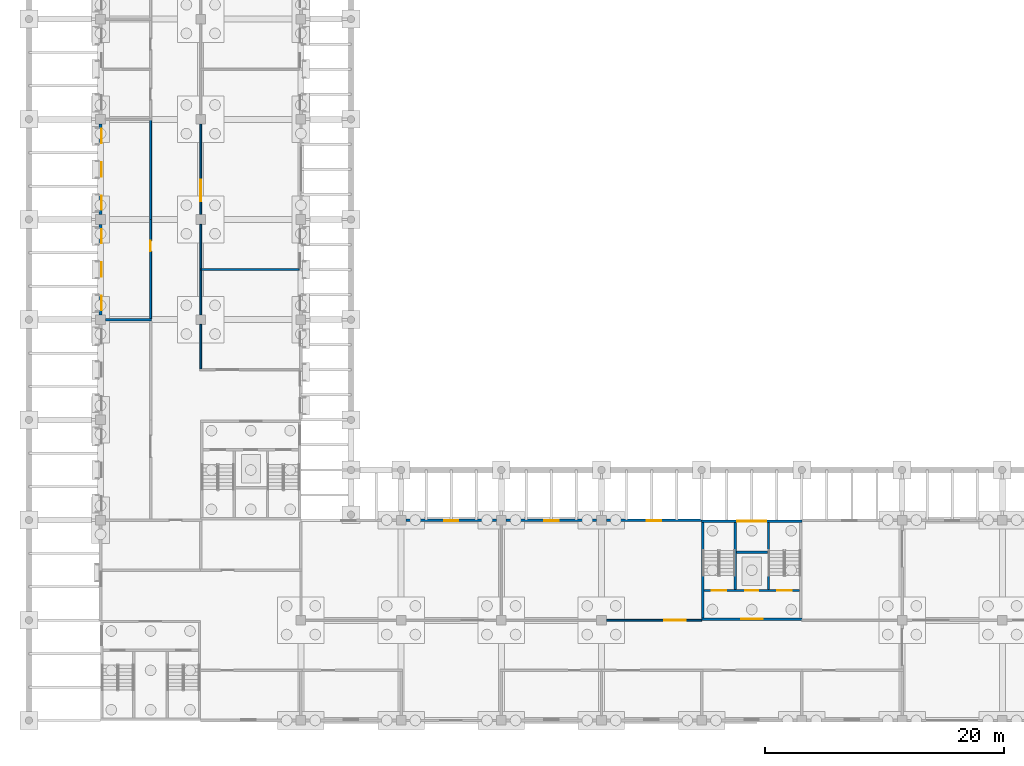
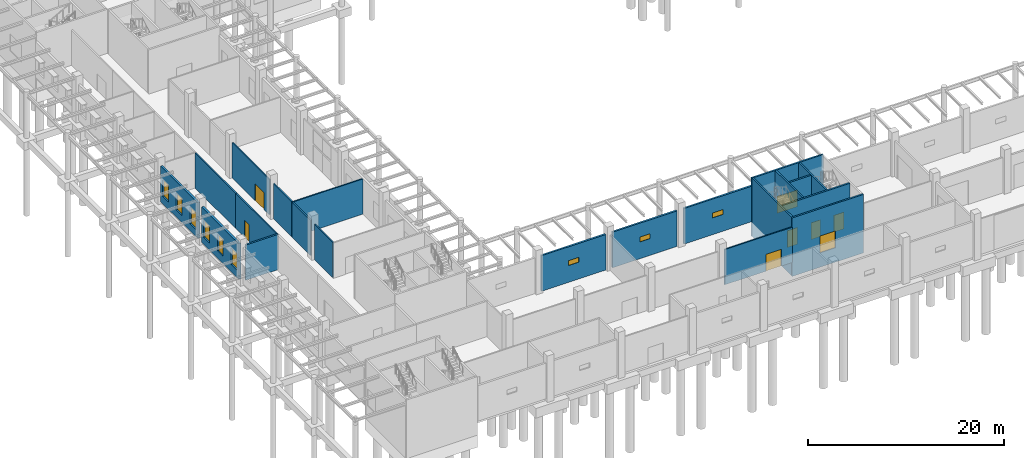
# One storey, part 27 of 82: 21 walls, 9 windows, 8 doors, 17 openings.
"""IFC4 building model written with IfcOpenShell, lengths in metres."""

import ifcopenshell
import ifcopenshell.guid

model = None  # the IFC model being written
_history = None  # IfcOwnerHistory: only IFC2X3 demands one
_inside = {}  # id of a spatial element -> (the spatial element, [elements in it])
_under = {}  # id of a project, library or spatial element -> (it, [spatial elements below it])
_declared = {}  # id of a project -> (the project, [libraries it declares])
_typed = {}  # id of a type object -> (the type object, [elements of that type])
_made_of = {}  # id of a material, layer set ... -> (it, [elements and type objects made of it])


def new_model(schema):
    """Start an empty IFC model of exactly this schema.

    Asked for "IFC4X3", IfcOpenShell would pick the latest addendum, in which some entities
    have other attributes; the version numbers below select the first issue.
    IFC2X3 requires an IfcOwnerHistory on every rooted entity: one is made here for all.
    """
    global model, _history
    if schema == "IFC4X3":
        model = ifcopenshell.file(schema_version=(4, 3, 0, 0))
    else:
        model = ifcopenshell.file(schema=schema)
    _inside.clear()
    _under.clear()
    _declared.clear()
    _typed.clear()
    _made_of.clear()
    _history = None
    if model.schema == "IFC2X3":
        org = make("IfcOrganization", Name="unknown")
        user = make(
            "IfcPersonAndOrganization",
            ThePerson=make("IfcPerson", FamilyName="unknown"),
            TheOrganization=org,
        )
        app = make(
            "IfcApplication",
            ApplicationDeveloper=org,
            Version="unknown",
            ApplicationFullName="unknown",
            ApplicationIdentifier="unknown",
        )
        _history = make(
            "IfcOwnerHistory",
            OwningUser=user,
            OwningApplication=app,
            ChangeAction="ADDED",
            CreationDate=0,
        )
    return model


def make(cls, **values):
    """One entity of the class cls with the attributes given. An attribute that is None is left unset."""
    return model.create_entity(
        cls, **{name: value for name, value in values.items() if value is not None}
    )


def rooted(cls, **values):
    """An entity with a GlobalId (a new one), such as an element, a storey or a relation."""
    return make(cls, GlobalId=ifcopenshell.guid.new(), OwnerHistory=_history, **values)


def si_unit(unit_type, name, prefix=None):
    """IfcSIUnit, for example si_unit("LENGTHUNIT", "METRE", prefix="MILLI")."""
    return make("IfcSIUnit", UnitType=unit_type, Prefix=prefix, Name=name)


def assignment(units):
    """IfcUnitAssignment: the units of a project."""
    return None if units is None else make("IfcUnitAssignment", Units=units)


def point(xyz):
    """IfcCartesianPoint."""
    return None if xyz is None else make("IfcCartesianPoint", Coordinates=xyz)


def direction(xyz):
    """IfcDirection."""
    return None if xyz is None else make("IfcDirection", DirectionRatios=xyz)


def frame(location, z_axis=None, x_axis=None):
    """IfcAxis2Placement3D, a coordinate frame: its origin and axes. An axis left out is left unset."""
    return make(
        "IfcAxis2Placement3D",
        Location=point(location),
        Axis=direction(z_axis),
        RefDirection=direction(x_axis),
    )


def frame_2d(location, x_axis=None):
    """IfcAxis2Placement2D, a coordinate frame in the plane: its origin and x axis."""
    return make(
        "IfcAxis2Placement2D", Location=point(location), RefDirection=direction(x_axis)
    )


def origin():
    """The frame at (0, 0, 0) with its axes left unset."""
    return frame((0.0, 0.0, 0.0))


def place(relative_to, where):
    """IfcLocalPlacement: puts the frame where relative to a parent placement (None: the world)."""
    return make(
        "IfcLocalPlacement", PlacementRelTo=relative_to, RelativePlacement=where
    )


def context(
    kind, dimensions, precision=None, world=None, true_north=None, identifier=None
):
    """IfcGeometricRepresentationContext, for example the 3D "Model" context."""
    return make(
        "IfcGeometricRepresentationContext",
        ContextIdentifier=identifier,
        ContextType=kind,
        CoordinateSpaceDimension=dimensions,
        Precision=precision,
        WorldCoordinateSystem=world,
        TrueNorth=true_north,
    )


def subcontext(parent, identifier, kind, view, scale=None):
    """IfcGeometricRepresentationSubContext, for example "Body" below "Model"."""
    return make(
        "IfcGeometricRepresentationSubContext",
        ContextIdentifier=identifier,
        ContextType=kind,
        ParentContext=parent,
        TargetScale=scale,
        TargetView=view,
    )


def project(units=None, contexts=None):
    """IfcProject with its units and contexts."""
    return rooted(
        "IfcProject",
        Name="project",
        RepresentationContexts=contexts,
        UnitsInContext=assignment(units),
    )


def spatial(cls, under=None, at=None, **own):
    """A site, building, storey or space (cls), placed at a placement, below another one or the project."""
    s = rooted(cls, ObjectPlacement=at, **own)
    if under is not None:
        _under.setdefault(under.id(), (under, []))[1].append(s)
    return s


def profile(cls, at=None, kind="AREA", **sizes):
    """A parametric profile (cls). Its sizes go by their IFC names, for example OverallWidth=200.0."""
    return make(cls, ProfileType=kind, Position=at, **sizes)


def rectangle(**sizes):
    """IfcRectangleProfileDef."""
    return profile("IfcRectangleProfileDef", **sizes)


def extrude(swept, where, along, depth):
    """IfcExtrudedAreaSolid: the profile swept, set in the frame where, extruded along a direction by depth."""
    return make(
        "IfcExtrudedAreaSolid",
        SweptArea=swept,
        Position=where,
        ExtrudedDirection=direction(along),
        Depth=depth,
    )


def shape(context_of_items, identifier, shape_type, items):
    """IfcShapeRepresentation: the items that make up one representation, for example the "Body"."""
    return make(
        "IfcShapeRepresentation",
        ContextOfItems=context_of_items,
        RepresentationIdentifier=identifier,
        RepresentationType=shape_type,
        Items=items,
    )


def material(Name=None, Category=None):
    """IfcMaterial."""
    return make("IfcMaterial", Name=Name, Category=Category)


def layer(
    of_material, thickness, ventilated=None, Name=None, Category=None, Priority=None
):
    """IfcMaterialLayer: one layer of a wall or slab, of a material (None: an air gap)."""
    return make(
        "IfcMaterialLayer",
        Material=of_material,
        LayerThickness=thickness,
        IsVentilated=ventilated,
        Name=Name,
        Category=Category,
        Priority=Priority,
    )


def layer_set(layers, Name=None):
    """IfcMaterialLayerSet."""
    return make("IfcMaterialLayerSet", MaterialLayers=layers, LayerSetName=Name)


def made_of(thing, what):
    """Note that an element or type object is made of a material, layer set ...; save() writes the relation."""
    if what is not None:
        _made_of.setdefault(what.id(), (what, []))[1].append(thing)
    return thing


def type_object(cls, material=None, **own):
    """A type object (cls), such as IfcWallType, which elements share."""
    return made_of(rooted(cls, **own), material)


def element(
    cls,
    number,
    at=None,
    inside=None,
    cuts=None,
    type_object=None,
    material=None,
    context=None,
    identifier="Body",
    shape_type=None,
    held_by="IfcProductDefinitionShape",
    body=None,
    shapes=None,
    **own,
):
    """One element of the class cls, such as IfcWall. Its Tag is "e" and its number.

    at: its placement. inside: the storey or other place that contains it. cuts: it is an
    opening in that element (IfcRelVoidsElement). A single representation is given by context,
    identifier, shape_type and body (its items); several are given by shapes. held_by: the class
    of the entity that holds the representations. save() writes the other relations.
    """
    e = rooted(cls, Tag="e%d" % number, ObjectPlacement=at, **own)
    if body is not None:
        shapes = [shape(context, identifier, shape_type, body)]
    if shapes is not None:
        e.Representation = make(held_by, Representations=shapes)
    if inside is not None:
        _inside.setdefault(inside.id(), (inside, []))[1].append(e)
    if cuts is not None:
        rooted(
            "IfcRelVoidsElement", RelatingBuildingElement=cuts, RelatedOpeningElement=e
        )
    if type_object is not None:
        _typed.setdefault(type_object.id(), (type_object, []))[1].append(e)
    return made_of(e, material)


def fill(opening, filler):
    """IfcRelFillsElement: the door or window that sits in an opening."""
    return rooted(
        "IfcRelFillsElement",
        RelatingOpeningElement=opening,
        RelatedBuildingElement=filler,
    )


def aggregate(whole, parts):
    """IfcRelAggregates: a whole, such as a stair, and the parts it consists of."""
    return rooted("IfcRelAggregates", RelatingObject=whole, RelatedObjects=parts)


def save(model, path):
    """Write the relations noted so far, then the file.

    IfcRelAggregates (storeys below a building ...), IfcRelContainedInSpatialStructure (elements
    in a storey), IfcRelDefinesByType, IfcRelAssociatesMaterial and IfcRelDeclares: one each for
    every whole, place, type object, material and project.
    """
    for whole, parts in _under.values():
        aggregate(whole, parts)
    for where, things in _inside.values():
        rooted(
            "IfcRelContainedInSpatialStructure",
            RelatedElements=things,
            RelatingStructure=where,
        )
    for kind, things in _typed.values():
        rooted("IfcRelDefinesByType", RelatedObjects=things, RelatingType=kind)
    for what, things in _made_of.values():
        rooted("IfcRelAssociatesMaterial", RelatedObjects=things, RelatingMaterial=what)
    for by, libraries in _declared.values():
        rooted("IfcRelDeclares", RelatingContext=by, RelatedDefinitions=libraries)
    model.write(path)


model = new_model("IFC4")

# Units and contexts
model_context = context("Model", 3, precision=1e-05, world=origin(), true_north=direction((0.0, 1.0)))
body_context = subcontext(model_context, "Body", "Model", "MODEL_VIEW")
ifc_project = project(units=[si_unit("LENGTHUNIT", "METRE"), si_unit("AREAUNIT", "SQUARE_METRE"), si_unit("VOLUMEUNIT", "CUBIC_METRE"), si_unit("PLANEANGLEUNIT", "RADIAN"), si_unit("MASSUNIT", "GRAM", prefix="KILO")], contexts=[model_context])

# Site, building, storey
site_placement = place(None, origin())
site = spatial("IfcSite", under=ifc_project, at=site_placement, CompositionType="ELEMENT")
building_placement = place(site_placement, origin())
building = spatial("IfcBuilding", under=site, at=building_placement, Name="Almond Square Museum", CompositionType="ELEMENT")
storey_placement = place(building_placement, origin())
storey = spatial("IfcBuildingStorey", under=building, at=storey_placement, Name="L00", CompositionType="ELEMENT", Elevation=0.0)

# Walls
ifc_material_1 = material(Name="Concrete blockwork 200", Category="masonry")
ifc_layer_1 = layer(ifc_material_1, 0.199951171875)
ifc_layer_set_1 = layer_set([ifc_layer_1], Name="Concrete blockwork 200")
wall_type_1 = type_object("IfcWallType", Name="Fire partition 200 blockwork", PredefinedType="PARTITIONING", material=ifc_layer_set_1)
wall_1_placement = place(storey_placement, frame((6.39990234375, 33.60009765625, 0.0), z_axis=(0.0, 0.0, 1.0), x_axis=(1.0, 0.0, 0.0)))
element("IfcWall", 1, at=wall_1_placement, inside=storey, type_object=wall_type_1, Name="L00 partition 62", PredefinedType="PARTITIONING", context=body_context, shape_type="SweptSolid", body=[
    extrude(rectangle(XDim=3.875, YDim=0.199951171875, at=frame_2d((1.9375, 0.0))), origin(), (0.0, 0.0, 1.0), 4.39990234375),
])
ifc_material_2 = material(Name="Plasterboard on steel stud", Category="steel")
ifc_layer_2 = layer(ifc_material_2, 0.14990234375)
ifc_layer_set_2 = layer_set([ifc_layer_2], Name="Plasterboard on steel stud")
wall_type_2 = type_object("IfcWallType", Name="Partition 150 plasterboard on steel stud", PredefinedType="PARTITIONING", material=ifc_layer_set_2)
wall_2_placement = place(storey_placement, frame((14.39990234375, 37.875, 0.0), z_axis=(0.0, 0.0, 1.0), x_axis=(0.0, 1.0, 0.0)))
element("IfcWall", 2, at=wall_2_placement, inside=storey, type_object=wall_type_2, Name="L00 partition 51", PredefinedType="PARTITIONING", context=body_context, shape_type="SweptSolid", body=[
    extrude(rectangle(XDim=3.72509765625, YDim=0.14990234375, at=frame_2d((1.862548828125, 0.0))), origin(), (0.0, 0.0, 1.0), 4.39990234375),
])

# Wall, opening, door
wall_3_placement = place(storey_placement, frame((14.39990234375, 42.39990234375, 0.0), z_axis=(0.0, 0.0, 1.0), x_axis=(0.0, 1.0, 0.0)))
wall_3 = element("IfcWall", 3, at=wall_3_placement, inside=storey, type_object=wall_type_2, Name="L00 partition 52", PredefinedType="PARTITIONING", context=body_context, shape_type="SweptSolid", body=[
    extrude(rectangle(XDim=7.60009765625, YDim=0.14990234375, at=frame_2d((3.800048828125, 0.0))), origin(), (0.0, 0.0, 1.0), 4.39990234375),
])
opening_1_placement = place(wall_3_placement, frame((1.125, 0.0, 0.0)))
opening_1 = element("IfcOpeningElement", 4, at=opening_1_placement, cuts=wall_3, Name="Opening D0116", PredefinedType="OPENING", context=body_context, shape_type="SweptSolid", body=[
    extrude(rectangle(XDim=1.800048828125, YDim=2.10009765625, at=frame_2d((0.89990234375, 1.050048828125))), frame((0.0, 0.0849609375, 0.0), z_axis=(0.0, -1.0, 0.0), x_axis=(1.0, 0.0, 0.0)), (0.0, 0.0, 1.0), 0.169921875),
])
ifc_material_3 = material(Name="Timber", Category="wood")
door_type_1 = type_object("IfcDoorType", Name="Door 1800 x 2100 timber double", OperationType="NOTDEFINED", PredefinedType="DOOR", material=ifc_material_3)
door_1_placement = place(opening_1_placement, origin())
door_1 = element("IfcDoor", 5, at=door_1_placement, inside=storey, type_object=door_type_1, Name="L00 door Learning Studio 2 to Wing Corridor", OperationType="DOUBLE_DOOR_SINGLE_SWING", OverallHeight=2.10009765625, OverallWidth=1.800048828125, PredefinedType="DOOR", context=body_context, shape_type="SweptSolid", body=[
    extrude(rectangle(XDim=1.800048828125, YDim=2.10009765625, at=frame_2d((0.89990234375, 1.050048828125))), frame((0.0, 0.02490234375, 0.0), z_axis=(0.0, -1.0, 0.0), x_axis=(1.0, 0.0, 0.0)), (0.0, 0.0, 1.0), 0.050048828125),
])
fill(opening_1, door_1)

wall_4_placement = place(storey_placement, frame((10.199951171875, 33.699951171875, 0.0), z_axis=(0.0, 0.0, 1.0), x_axis=(0.0, 1.0, 0.0)))
wall_4 = element("IfcWall", 6, at=wall_4_placement, inside=storey, type_object=wall_type_2, Name="L00 partition 54", PredefinedType="PARTITIONING", context=body_context, shape_type="SweptSolid", body=[
    extrude(rectangle(XDim=8.300048828125, YDim=0.14990234375, at=frame_2d((4.14990234375, 0.0))), origin(), (0.0, 0.0, 1.0), 4.39990234375),
])
opening_2_placement = place(wall_4_placement, frame((5.625, 0.0, 0.0)))
opening_2 = element("IfcOpeningElement", 7, at=opening_2_placement, cuts=wall_4, Name="Opening D0117", PredefinedType="OPENING", context=body_context, shape_type="SweptSolid", body=[
    extrude(rectangle(XDim=0.89990234375, YDim=2.10009765625, at=frame_2d((0.449951171875, 1.050048828125))), frame((0.0, 0.0849609375, 0.0), z_axis=(0.0, -1.0, 0.0), x_axis=(1.0, 0.0, 0.0)), (0.0, 0.0, 1.0), 0.169921875),
])
ifc_material_4 = material(Name="Timber", Category="wood")
door_type_2 = type_object("IfcDoorType", Name="Door 900 x 2100 timber single", OperationType="NOTDEFINED", PredefinedType="DOOR", material=ifc_material_4)
door_2_placement = place(opening_2_placement, origin())
door_2 = element("IfcDoor", 8, at=door_2_placement, inside=storey, type_object=door_type_2, Name="L00 door Education Office to Wing Corridor", OperationType="SINGLE_SWING_RIGHT", OverallHeight=2.10009765625, OverallWidth=0.89990234375, PredefinedType="DOOR", context=body_context, shape_type="SweptSolid", body=[
    extrude(rectangle(XDim=0.89990234375, YDim=2.10009765625, at=frame_2d((0.449951171875, 1.050048828125))), frame((0.0, 0.02490234375, 0.0), z_axis=(0.0, -1.0, 0.0), x_axis=(1.0, 0.0, 0.0)), (0.0, 0.0, 1.0), 0.050048828125),
])
fill(opening_2, door_2)

# Walls
wall_5_placement = place(storey_placement, frame((10.199951171875, 42.0, 0.0), z_axis=(0.0, 0.0, 1.0), x_axis=(0.0, 1.0, 0.0)))
element("IfcWall", 9, at=wall_5_placement, inside=storey, type_object=wall_type_2, Name="L00 partition 55", PredefinedType="PARTITIONING", context=body_context, shape_type="SweptSolid", body=[
    extrude(rectangle(XDim=8.324951171875, YDim=0.14990234375, at=frame_2d((4.16259765625, 0.0))), origin(), (0.0, 0.0, 1.0), 4.39990234375),
])
wall_6_placement = place(storey_placement, frame((14.39990234375, 29.47509765625, 0.0), z_axis=(0.0, 0.0, 1.0), x_axis=(0.0, 1.0, 0.0)))
element("IfcWall", 10, at=wall_6_placement, inside=storey, type_object=wall_type_2, Name="L00 partition 56", PredefinedType="PARTITIONING", context=body_context, shape_type="SweptSolid", body=[
    extrude(rectangle(XDim=3.724853515625, YDim=0.14990234375, at=frame_2d((1.8623046875, 0.0))), origin(), (0.0, 0.0, 1.0), 4.39990234375),
])
wall_7_placement = place(storey_placement, frame((14.39990234375, 34.0, 0.0), z_axis=(0.0, 0.0, 1.0), x_axis=(0.0, 1.0, 0.0)))
element("IfcWall", 11, at=wall_7_placement, inside=storey, type_object=wall_type_2, Name="L00 partition 57", PredefinedType="PARTITIONING", context=body_context, shape_type="SweptSolid", body=[
    extrude(rectangle(XDim=3.72509765625, YDim=0.14990234375, at=frame_2d((1.862548828125, 0.0))), origin(), (0.0, 0.0, 1.0), 4.39990234375),
])
wall_8_placement = place(storey_placement, frame((14.324951171875, 37.800048828125, 0.0), z_axis=(0.0, 0.0, 1.0), x_axis=(1.0, 0.0, 0.0)))
element("IfcWall", 12, at=wall_8_placement, inside=storey, type_object=wall_type_2, Name="L00 partition 61", PredefinedType="PARTITIONING", context=body_context, shape_type="SweptSolid", body=[
    extrude(rectangle(XDim=8.324951171875, YDim=0.14990234375, at=frame_2d((4.16259765625, 0.0))), origin(), (0.0, 0.0, 1.0), 4.39990234375),
])

# Wall, opening, door
wall_9_placement = place(storey_placement, frame((48.39990234375, 8.39990234375, 0.0), z_axis=(0.0, 0.0, 1.0), x_axis=(1.0, 0.0, 0.0)))
wall_9 = element("IfcWall", 13, at=wall_9_placement, inside=storey, type_object=wall_type_2, Name="L00 partition 84", PredefinedType="PARTITIONING", context=body_context, shape_type="SweptSolid", body=[
    extrude(rectangle(XDim=8.0, YDim=0.14990234375, at=frame_2d((4.0, 0.0))), origin(), (0.0, 0.0, 1.0), 4.39990234375),
])
opening_3_placement = place(wall_9_placement, frame((4.875, 0.0, 0.0)))
opening_3 = element("IfcOpeningElement", 14, at=opening_3_placement, cuts=wall_9, Name="Opening D0126", PredefinedType="OPENING", context=body_context, shape_type="SweptSolid", body=[
    extrude(rectangle(XDim=1.800048828125, YDim=2.10009765625, at=frame_2d((0.89990234375, 1.050048828125))), frame((0.0, 0.0849609375, 0.0), z_axis=(0.0, -1.0, 0.0), x_axis=(1.0, 0.0, 0.0)), (0.0, 0.0, 1.0), 0.169921875),
])
door_3_placement = place(opening_3_placement, origin())
door_3 = element("IfcDoor", 15, at=door_3_placement, inside=storey, type_object=door_type_1, Name="L00 door Imaging Studio to Service Corridor 2", OperationType="DOUBLE_DOOR_SINGLE_SWING", OverallHeight=2.10009765625, OverallWidth=1.800048828125, PredefinedType="DOOR", context=body_context, shape_type="SweptSolid", body=[
    extrude(rectangle(XDim=1.800048828125, YDim=2.10009765625, at=frame_2d((0.89990234375, 1.050048828125))), frame((0.0, 0.02490234375, 0.0), z_axis=(0.0, -1.0, 0.0), x_axis=(1.0, 0.0, 0.0)), (0.0, 0.0, 1.0), 0.050048828125),
])
fill(opening_3, door_3)

# Wall, openings, windows
ifc_material_5 = material(Name="Precast concrete C40/50", Category="concrete")
ifc_layer_3 = layer(ifc_material_5, 0.25)
ifc_layer_set_3 = layer_set([ifc_layer_3], Name="Precast concrete C40/50")
wall_type_3 = type_object("IfcWallType", Name="Precast concrete panel wall 250 with coral limestone piers", PredefinedType="SOLIDWALL", material=ifc_layer_set_3)
wall_10_placement = place(storey_placement, frame((6.0, 42.39990234375, 0.0), z_axis=(0.0, 0.0, 1.0), x_axis=(0.0, 1.0, 0.0)))
wall_10 = element("IfcWall", 16, at=wall_10_placement, inside=storey, type_object=wall_type_3, Name="External wall W2 V4W L00 W04", PredefinedType="SOLIDWALL", context=body_context, shape_type="SweptSolid", body=[
    extrude(rectangle(XDim=7.60009765625, YDim=0.25, at=frame_2d((3.800048828125, 0.0))), origin(), (0.0, 0.0, 1.0), 4.43994140625),
])
opening_4_placement = place(wall_10_placement, frame((0.39990234375, 0.0, 0.89990234375)))
opening_4 = element("IfcOpeningElement", 17, at=opening_4_placement, cuts=wall_10, Name="Opening W0131", PredefinedType="OPENING", context=body_context, shape_type="SweptSolid", body=[
    extrude(rectangle(XDim=1.199951171875, YDim=2.10009765625, at=frame_2d((0.60009765625, 1.050048828125))), frame((0.0, 0.135009765625, 0.0), z_axis=(0.0, -1.0, 0.0), x_axis=(1.0, 0.0, 0.0)), (0.0, 0.0, 1.0), 0.27001953125),
])
opening_5_placement = place(wall_10_placement, frame((3.199951171875, 0.0, 0.89990234375)))
opening_5 = element("IfcOpeningElement", 18, at=opening_5_placement, cuts=wall_10, Name="Opening W0132", PredefinedType="OPENING", context=body_context, shape_type="SweptSolid", body=[
    extrude(rectangle(XDim=1.199951171875, YDim=2.10009765625, at=frame_2d((0.60009765625, 1.050048828125))), frame((0.0, 0.135009765625, 0.0), z_axis=(0.0, -1.0, 0.0), x_axis=(1.0, 0.0, 0.0)), (0.0, 0.0, 1.0), 0.27001953125),
])
opening_6_placement = place(wall_10_placement, frame((6.0, 0.0, 0.89990234375)))
opening_6 = element("IfcOpeningElement", 19, at=opening_6_placement, cuts=wall_10, Name="Opening W0133", PredefinedType="OPENING", context=body_context, shape_type="SweptSolid", body=[
    extrude(rectangle(XDim=1.199951171875, YDim=2.10009765625, at=frame_2d((0.60009765625, 1.050048828125))), frame((0.0, 0.135009765625, 0.0), z_axis=(0.0, -1.0, 0.0), x_axis=(1.0, 0.0, 0.0)), (0.0, 0.0, 1.0), 0.27001953125),
])
ifc_material_6 = material(Name="Anodised aluminium louvre and laminated glass", Category="aluminium")
window_type_1 = type_object("IfcWindowType", Name="Louvred pier window", PartitioningType="SINGLE_PANEL", PredefinedType="WINDOW", material=ifc_material_6)
window_1_placement = place(opening_4_placement, origin())
window_1 = element("IfcWindow", 20, at=window_1_placement, inside=storey, type_object=window_type_1, Name="Louvred pier window W0131", OverallHeight=2.10009765625, OverallWidth=1.199951171875, PartitioningType="SINGLE_PANEL", PredefinedType="WINDOW", context=body_context, shape_type="SweptSolid", body=[
    extrude(rectangle(XDim=1.199951171875, YDim=2.10009765625, at=frame_2d((0.60009765625, 1.050048828125))), frame((0.0, -0.044921875, 0.0), z_axis=(0.0, -1.0, 0.0), x_axis=(1.0, 0.0, 0.0)), (0.0, 0.0, 1.0), 0.06005859375),
])
fill(opening_4, window_1)
window_2_placement = place(opening_5_placement, origin())
window_2 = element("IfcWindow", 21, at=window_2_placement, inside=storey, type_object=window_type_1, Name="Louvred pier window W0132", OverallHeight=2.10009765625, OverallWidth=1.199951171875, PartitioningType="SINGLE_PANEL", PredefinedType="WINDOW", context=body_context, shape_type="SweptSolid", body=[
    extrude(rectangle(XDim=1.199951171875, YDim=2.10009765625, at=frame_2d((0.60009765625, 1.050048828125))), frame((0.0, -0.044921875, 0.0), z_axis=(0.0, -1.0, 0.0), x_axis=(1.0, 0.0, 0.0)), (0.0, 0.0, 1.0), 0.06005859375),
])
fill(opening_5, window_2)
window_3_placement = place(opening_6_placement, origin())
window_3 = element("IfcWindow", 22, at=window_3_placement, inside=storey, type_object=window_type_1, Name="Louvred pier window W0133", OverallHeight=2.10009765625, OverallWidth=1.199951171875, PartitioningType="SINGLE_PANEL", PredefinedType="WINDOW", context=body_context, shape_type="SweptSolid", body=[
    extrude(rectangle(XDim=1.199951171875, YDim=2.10009765625, at=frame_2d((0.60009765625, 1.050048828125))), frame((0.0, -0.044921875, 0.0), z_axis=(0.0, -1.0, 0.0), x_axis=(1.0, 0.0, 0.0)), (0.0, 0.0, 1.0), 0.06005859375),
])
fill(opening_6, window_3)

wall_11_placement = place(storey_placement, frame((6.0, 34.0, 0.0), z_axis=(0.0, 0.0, 1.0), x_axis=(0.0, 1.0, 0.0)))
wall_11 = element("IfcWall", 23, at=wall_11_placement, inside=storey, type_object=wall_type_3, Name="External wall W2 V4W L00 W05", PredefinedType="SOLIDWALL", context=body_context, shape_type="SweptSolid", body=[
    extrude(rectangle(XDim=7.60009765625, YDim=0.25, at=frame_2d((3.800048828125, 0.0))), origin(), (0.0, 0.0, 1.0), 4.43994140625),
])
opening_7_placement = place(wall_11_placement, frame((0.39990234375, 0.0, 0.89990234375)))
opening_7 = element("IfcOpeningElement", 24, at=opening_7_placement, cuts=wall_11, Name="Opening W0134", PredefinedType="OPENING", context=body_context, shape_type="SweptSolid", body=[
    extrude(rectangle(XDim=1.199951171875, YDim=2.10009765625, at=frame_2d((0.60009765625, 1.050048828125))), frame((0.0, 0.135009765625, 0.0), z_axis=(0.0, -1.0, 0.0), x_axis=(1.0, 0.0, 0.0)), (0.0, 0.0, 1.0), 0.27001953125),
])
opening_8_placement = place(wall_11_placement, frame((3.199951171875, 0.0, 0.89990234375)))
opening_8 = element("IfcOpeningElement", 25, at=opening_8_placement, cuts=wall_11, Name="Opening W0135", PredefinedType="OPENING", context=body_context, shape_type="SweptSolid", body=[
    extrude(rectangle(XDim=1.199951171875, YDim=2.10009765625, at=frame_2d((0.60009765625, 1.050048828125))), frame((0.0, 0.135009765625, 0.0), z_axis=(0.0, -1.0, 0.0), x_axis=(1.0, 0.0, 0.0)), (0.0, 0.0, 1.0), 0.27001953125),
])
opening_9_placement = place(wall_11_placement, frame((6.0, 0.0, 0.89990234375)))
opening_9 = element("IfcOpeningElement", 26, at=opening_9_placement, cuts=wall_11, Name="Opening W0136", PredefinedType="OPENING", context=body_context, shape_type="SweptSolid", body=[
    extrude(rectangle(XDim=1.199951171875, YDim=2.10009765625, at=frame_2d((0.60009765625, 1.050048828125))), frame((0.0, 0.135009765625, 0.0), z_axis=(0.0, -1.0, 0.0), x_axis=(1.0, 0.0, 0.0)), (0.0, 0.0, 1.0), 0.27001953125),
])
window_4_placement = place(opening_7_placement, origin())
window_4 = element("IfcWindow", 27, at=window_4_placement, inside=storey, type_object=window_type_1, Name="Louvred pier window W0134", OverallHeight=2.10009765625, OverallWidth=1.199951171875, PartitioningType="SINGLE_PANEL", PredefinedType="WINDOW", context=body_context, shape_type="SweptSolid", body=[
    extrude(rectangle(XDim=1.199951171875, YDim=2.10009765625, at=frame_2d((0.60009765625, 1.050048828125))), frame((0.0, -0.044921875, 0.0), z_axis=(0.0, -1.0, 0.0), x_axis=(1.0, 0.0, 0.0)), (0.0, 0.0, 1.0), 0.06005859375),
])
fill(opening_7, window_4)
window_5_placement = place(opening_8_placement, origin())
window_5 = element("IfcWindow", 28, at=window_5_placement, inside=storey, type_object=window_type_1, Name="Louvred pier window W0135", OverallHeight=2.10009765625, OverallWidth=1.199951171875, PartitioningType="SINGLE_PANEL", PredefinedType="WINDOW", context=body_context, shape_type="SweptSolid", body=[
    extrude(rectangle(XDim=1.199951171875, YDim=2.10009765625, at=frame_2d((0.60009765625, 1.050048828125))), frame((0.0, -0.044921875, 0.0), z_axis=(0.0, -1.0, 0.0), x_axis=(1.0, 0.0, 0.0)), (0.0, 0.0, 1.0), 0.06005859375),
])
fill(opening_8, window_5)
window_6_placement = place(opening_9_placement, origin())
window_6 = element("IfcWindow", 29, at=window_6_placement, inside=storey, type_object=window_type_1, Name="Louvred pier window W0136", OverallHeight=2.10009765625, OverallWidth=1.199951171875, PartitioningType="SINGLE_PANEL", PredefinedType="WINDOW", context=body_context, shape_type="SweptSolid", body=[
    extrude(rectangle(XDim=1.199951171875, YDim=2.10009765625, at=frame_2d((0.60009765625, 1.050048828125))), frame((0.0, -0.044921875, 0.0), z_axis=(0.0, -1.0, 0.0), x_axis=(1.0, 0.0, 0.0)), (0.0, 0.0, 1.0), 0.06005859375),
])
fill(opening_9, window_6)

# Wall, opening, door
ifc_material_7 = material(Name="Concrete C40/50", Category="concrete")
ifc_layer_4 = layer(ifc_material_7, 0.199951171875)
ifc_layer_set_4 = layer_set([ifc_layer_4], Name="Concrete C40/50")
wall_type_4 = type_object("IfcWallType", Name="RC shear wall 200 C40/50", PredefinedType="SHEAR", material=ifc_layer_set_4)
wall_12_placement = place(storey_placement, frame((56.39990234375, 8.5, -1.800048828125), z_axis=(0.0, 0.0, 1.0), x_axis=(1.0, 0.0, 0.0)))
wall_12 = element("IfcWall", 30, at=wall_12_placement, inside=storey, type_object=wall_type_4, Name="Core S2 south wall L00", PredefinedType="SHEAR", context=body_context, shape_type="SweptSolid", body=[
    extrude(rectangle(XDim=8.400146484375, YDim=0.199951171875, at=frame_2d((4.2001953125, 0.0))), origin(), (0.0, 0.0, 1.0), 7.300048828125),
])
opening_10_placement = place(wall_12_placement, frame((3.300048828125, 0.0, 1.800048828125)))
opening_10 = element("IfcOpeningElement", 31, at=opening_10_placement, cuts=wall_12, Name="Opening D0206", PredefinedType="OPENING", context=body_context, shape_type="SweptSolid", body=[
    extrude(rectangle(XDim=1.800048828125, YDim=2.10009765625, at=frame_2d((0.89990234375, 1.050048828125))), frame((0.0, 0.10986328125, 0.0), z_axis=(0.0, -1.0, 0.0), x_axis=(1.0, 0.0, 0.0)), (0.0, 0.0, 1.0), 0.219970703125),
])
ifc_material_8 = material(Name="Steel", Category="steel")
door_type_3 = type_object("IfcDoorType", Name="Fire door 1800 x 2100 FD60 double", OperationType="NOTDEFINED", PredefinedType="DOOR", material=ifc_material_8)
door_4_placement = place(opening_10_placement, origin())
door_4 = element("IfcDoor", 32, at=door_4_placement, inside=storey, type_object=door_type_3, Name="L00 stair core S2 lobby door", OperationType="DOUBLE_DOOR_SINGLE_SWING", OverallHeight=2.10009765625, OverallWidth=1.800048828125, PredefinedType="DOOR", context=body_context, shape_type="SweptSolid", body=[
    extrude(rectangle(XDim=1.800048828125, YDim=2.10009765625, at=frame_2d((0.89990234375, 1.050048828125))), frame((0.0, 0.02490234375, 0.0), z_axis=(0.0, -1.0, 0.0), x_axis=(1.0, 0.0, 0.0)), (0.0, 0.0, 1.0), 0.050048828125),
])
fill(opening_10, door_4)

wall_13_placement = place(storey_placement, frame((56.39990234375, 16.699951171875, -1.800048828125), z_axis=(0.0, 0.0, 1.0), x_axis=(1.0, 0.0, 0.0)))
wall_13 = element("IfcWall", 33, at=wall_13_placement, inside=storey, type_object=wall_type_4, Name="Core S2 north wall L00", PredefinedType="SHEAR", context=body_context, shape_type="SweptSolid", body=[
    extrude(rectangle(XDim=8.400146484375, YDim=0.199951171875, at=frame_2d((4.2001953125, 0.0))), origin(), (0.0, 0.0, 1.0), 7.300048828125),
])
opening_11_placement = place(wall_13_placement, frame((3.001220703125, 0.0, 1.800048828125)))
opening_11 = element("IfcOpeningElement", 34, at=opening_11_placement, cuts=wall_13, Name="Opening D032", PredefinedType="OPENING", context=body_context, shape_type="SweptSolid", body=[
    extrude(rectangle(XDim=2.39990234375, YDim=2.10009765625, at=frame_2d((1.199951171875, 1.050048828125))), frame((0.0, 0.10986328125, 0.0), z_axis=(0.0, -1.0, 0.0), x_axis=(1.0, 0.0, 0.0)), (0.0, 0.0, 1.0), 0.219970703125),
])
ifc_material_9 = material(Name="Steel frame and steel leaf", Category="steel")
door_type_4 = type_object("IfcDoorType", Name="Stair exit door pair 2400 x 2100", OperationType="NOTDEFINED", PredefinedType="DOOR", material=ifc_material_9)
door_5_placement = place(opening_11_placement, origin())
door_5 = element("IfcDoor", 35, at=door_5_placement, inside=storey, type_object=door_type_4, Name="Stair Exit S2 door D032", OperationType="DOUBLE_DOOR_SINGLE_SWING", OverallHeight=2.10009765625, OverallWidth=2.39990234375, PredefinedType="DOOR", context=body_context, shape_type="SweptSolid", body=[
    extrude(rectangle(XDim=2.39990234375, YDim=2.10009765625, at=frame_2d((1.199951171875, 1.050048828125))), frame((0.0, 0.02490234375, 0.0), z_axis=(0.0, -1.0, 0.0), x_axis=(1.0, 0.0, 0.0)), (0.0, 0.0, 1.0), 0.050048828125),
])
fill(opening_11, door_5)

# Wall
wall_14_placement = place(storey_placement, frame((56.5, 8.60009765625, -1.800048828125), z_axis=(0.0, 0.0, 1.0), x_axis=(0.0, 1.0, 0.0)))
element("IfcWall", 36, at=wall_14_placement, inside=storey, type_object=wall_type_4, Name="Core S2 west wall L00", PredefinedType="SHEAR", context=body_context, shape_type="SweptSolid", body=[
    extrude(rectangle(XDim=8.0, YDim=0.199951171875, at=frame_2d((4.0, 0.0))), origin(), (0.0, 0.0, 1.0), 7.300048828125),
])

# Wall, openings, doors
wall_15_placement = place(storey_placement, frame((56.60009765625, 10.89990234375, -1.800048828125), z_axis=(0.0, 0.0, 1.0), x_axis=(1.0, 0.0, 0.0)))
wall_15 = element("IfcWall", 37, at=wall_15_placement, inside=storey, type_object=wall_type_4, Name="Core S2 lobby wall L00", PredefinedType="SHEAR", context=body_context, shape_type="SweptSolid", body=[
    extrude(rectangle(XDim=8.0, YDim=0.199951171875, at=frame_2d((4.0, 0.0))), origin(), (0.0, 0.0, 1.0), 7.300048828125),
])
opening_12_placement = place(wall_15_placement, frame((0.64990234375, 0.0, 1.800048828125)))
opening_12 = element("IfcOpeningElement", 38, at=opening_12_placement, cuts=wall_15, Name="Opening D0207", PredefinedType="OPENING", context=body_context, shape_type="SweptSolid", body=[
    extrude(rectangle(XDim=1.199951171875, YDim=2.10009765625, at=frame_2d((0.60009765625, 1.050048828125))), frame((0.0, 0.10986328125, 0.0), z_axis=(0.0, -1.0, 0.0), x_axis=(1.0, 0.0, 0.0)), (0.0, 0.0, 1.0), 0.219970703125),
])
opening_13_placement = place(wall_15_placement, frame((6.14990234375, 0.0, 1.800048828125)))
opening_13 = element("IfcOpeningElement", 39, at=opening_13_placement, cuts=wall_15, Name="Opening D0208", PredefinedType="OPENING", context=body_context, shape_type="SweptSolid", body=[
    extrude(rectangle(XDim=1.199951171875, YDim=2.10009765625, at=frame_2d((0.60009765625, 1.050048828125))), frame((0.0, 0.10986328125, 0.0), z_axis=(0.0, -1.0, 0.0), x_axis=(1.0, 0.0, 0.0)), (0.0, 0.0, 1.0), 0.219970703125),
])
opening_14_placement = place(wall_15_placement, frame((3.449951171875, 0.0, 1.800048828125)))
opening_14 = element("IfcOpeningElement", 40, at=opening_14_placement, cuts=wall_15, Name="Opening D0209", PredefinedType="OPENING", context=body_context, shape_type="SweptSolid", body=[
    extrude(rectangle(XDim=1.10009765625, YDim=2.10009765625, at=frame_2d((0.550048828125, 1.050048828125))), frame((0.0, 0.10986328125, 0.0), z_axis=(0.0, -1.0, 0.0), x_axis=(1.0, 0.0, 0.0)), (0.0, 0.0, 1.0), 0.219970703125),
])
ifc_material_10 = material(Name="Steel", Category="steel")
door_type_5 = type_object("IfcDoorType", Name="Fire door 1200 x 2100 FD120 stair", OperationType="NOTDEFINED", PredefinedType="DOOR", material=ifc_material_10)
door_6_placement = place(opening_12_placement, origin())
door_6 = element("IfcDoor", 41, at=door_6_placement, inside=storey, type_object=door_type_5, Name="L00 stair S2-1 door", OperationType="SINGLE_SWING_LEFT", OverallHeight=2.10009765625, OverallWidth=1.199951171875, PredefinedType="DOOR", context=body_context, shape_type="SweptSolid", body=[
    extrude(rectangle(XDim=1.199951171875, YDim=2.10009765625, at=frame_2d((0.60009765625, 1.050048828125))), frame((0.0, 0.02490234375, 0.0), z_axis=(0.0, -1.0, 0.0), x_axis=(1.0, 0.0, 0.0)), (0.0, 0.0, 1.0), 0.050048828125),
])
fill(opening_12, door_6)
door_7_placement = place(opening_13_placement, origin())
door_7 = element("IfcDoor", 42, at=door_7_placement, inside=storey, type_object=door_type_5, Name="L00 stair S2-2 door", OperationType="SINGLE_SWING_RIGHT", OverallHeight=2.10009765625, OverallWidth=1.199951171875, PredefinedType="DOOR", context=body_context, shape_type="SweptSolid", body=[
    extrude(rectangle(XDim=1.199951171875, YDim=2.10009765625, at=frame_2d((0.60009765625, 1.050048828125))), frame((0.0, 0.02490234375, 0.0), z_axis=(0.0, -1.0, 0.0), x_axis=(1.0, 0.0, 0.0)), (0.0, 0.0, 1.0), 0.050048828125),
])
fill(opening_13, door_7)
ifc_material_11 = material(Name="Stainless steel", Category="steel")
door_type_6 = type_object("IfcDoorType", Name="Lift landing door 1100 x 2100", OperationType="NOTDEFINED", PredefinedType="DOOR", material=ifc_material_11)
door_8_placement = place(opening_14_placement, origin())
door_8 = element("IfcDoor", 43, at=door_8_placement, inside=storey, type_object=door_type_6, Name="L00 lift PL-S2 landing door", OperationType="DOUBLE_DOOR_SLIDING", OverallHeight=2.10009765625, OverallWidth=1.10009765625, PredefinedType="DOOR", context=body_context, shape_type="SweptSolid", body=[
    extrude(rectangle(XDim=1.10009765625, YDim=2.10009765625, at=frame_2d((0.550048828125, 1.050048828125))), frame((0.0, 0.02490234375, 0.0), z_axis=(0.0, -1.0, 0.0), x_axis=(1.0, 0.0, 0.0)), (0.0, 0.0, 1.0), 0.050048828125),
])
fill(opening_14, door_8)

# Walls
for number, where, z_axis, x_axis, name in (
    (44, (59.199951171875, 11.0, -1.800048828125), (0.0, 0.0, 1.0), (0.0, 1.0, 0.0), "Core S2 partition wall L00"),
    (45, (62.0, 11.0, -1.800048828125), (0.0, 0.0, 1.0), (0.0, 1.0, 0.0), "Core S2 partition wall L00"),
):
    element("IfcWall", number, at=place(storey_placement, frame(where, z_axis=z_axis, x_axis=x_axis)), inside=storey, type_object=wall_type_4, Name=name, PredefinedType="SHEAR", context=body_context, shape_type="SweptSolid", body=[
        extrude(rectangle(XDim=5.60009765625, YDim=0.199951171875, at=frame_2d((2.800048828125, 0.0))), origin(), (0.0, 0.0, 1.0), 7.300048828125),
    ])
wall_16_placement = place(storey_placement, frame((59.300048828125, 14.10009765625, -1.800048828125), z_axis=(0.0, 0.0, 1.0), x_axis=(1.0, 0.0, 0.0)))
element("IfcWall", 46, at=wall_16_placement, inside=storey, type_object=wall_type_4, Name="Core S2 partition wall L00", PredefinedType="SHEAR", context=body_context, shape_type="SweptSolid", body=[
    extrude(rectangle(XDim=2.599853515625, YDim=0.199951171875, at=frame_2d((1.2998046875, 0.0))), origin(), (0.0, 0.0, 1.0), 7.300048828125),
])

# Wall, opening, window
ifc_material_12 = material(Name="Concrete C30/37", Category="concrete")
ifc_layer_5 = layer(ifc_material_12, 0.219970703125)
ifc_layer_set_5 = layer_set([ifc_layer_5], Name="Concrete C30/37")
wall_type_5 = type_object("IfcWallType", Name="Stucco panel wall 220 with insulation", PredefinedType="SOLIDWALL", material=ifc_layer_set_5)
wall_17_placement = place(storey_placement, frame((48.39990234375, 16.800048828125, 0.0), z_axis=(0.0, 0.0, 1.0), x_axis=(1.0, 0.0, 0.0)))
wall_17 = element("IfcWall", 47, at=wall_17_placement, inside=storey, type_object=wall_type_5, Name="External wall W4 V5S L00 N08", PredefinedType="SOLIDWALL", context=body_context, shape_type="SweptSolid", body=[
    extrude(rectangle(XDim=8.0, YDim=0.219970703125, at=frame_2d((4.0, 0.0))), origin(), (0.0, 0.0, 1.0), 4.43994140625),
])
opening_15_placement = place(wall_17_placement, frame((3.39990234375, 0.0, 2.10009765625)))
opening_15 = element("IfcOpeningElement", 48, at=opening_15_placement, cuts=wall_17, Name="Opening W0031", PredefinedType="OPENING", context=body_context, shape_type="SweptSolid", body=[
    extrude(rectangle(XDim=1.199951171875, YDim=0.60009765625, at=frame_2d((0.60009765625, 0.300048828125))), frame((0.0, 0.119873046875, 0.0), z_axis=(0.0, -1.0, 0.0), x_axis=(1.0, 0.0, 0.0)), (0.0, 0.0, 1.0), 0.239990234375),
])
ifc_material_13 = material(Name="Anodised aluminium louvre", Category="aluminium")
window_type_2 = type_object("IfcWindowType", Name="Louvred vent", PartitioningType="SINGLE_PANEL", PredefinedType="WINDOW", material=ifc_material_13)
window_7_placement = place(opening_15_placement, origin())
window_7 = element("IfcWindow", 49, at=window_7_placement, inside=storey, type_object=window_type_2, Name="Louvred vent W0031", OverallHeight=0.60009765625, OverallWidth=1.199951171875, PartitioningType="SINGLE_PANEL", PredefinedType="WINDOW", context=body_context, shape_type="SweptSolid", body=[
    extrude(rectangle(XDim=1.199951171875, YDim=0.60009765625, at=frame_2d((0.60009765625, 0.300048828125))), frame((0.0, -0.030029296875, 0.0), z_axis=(0.0, -1.0, 0.0), x_axis=(1.0, 0.0, 0.0)), (0.0, 0.0, 1.0), 0.06005859375),
])
fill(opening_15, window_7)

wall_18_placement = place(storey_placement, frame((40.0, 16.800048828125, 0.0), z_axis=(0.0, 0.0, 1.0), x_axis=(1.0, 0.0, 0.0)))
wall_18 = element("IfcWall", 50, at=wall_18_placement, inside=storey, type_object=wall_type_5, Name="External wall W4 V5S L00 N09", PredefinedType="SOLIDWALL", context=body_context, shape_type="SweptSolid", body=[
    extrude(rectangle(XDim=7.60009765625, YDim=0.219970703125, at=frame_2d((3.800048828125, 0.0))), origin(), (0.0, 0.0, 1.0), 4.43994140625),
])
opening_16_placement = place(wall_18_placement, frame((3.199951171875, 0.0, 2.10009765625)))
opening_16 = element("IfcOpeningElement", 51, at=opening_16_placement, cuts=wall_18, Name="Opening W0032", PredefinedType="OPENING", context=body_context, shape_type="SweptSolid", body=[
    extrude(rectangle(XDim=1.199951171875, YDim=0.60009765625, at=frame_2d((0.60009765625, 0.300048828125))), frame((0.0, 0.119873046875, 0.0), z_axis=(0.0, -1.0, 0.0), x_axis=(1.0, 0.0, 0.0)), (0.0, 0.0, 1.0), 0.239990234375),
])
window_8_placement = place(opening_16_placement, origin())
window_8 = element("IfcWindow", 52, at=window_8_placement, inside=storey, type_object=window_type_2, Name="Louvred vent W0032", OverallHeight=0.60009765625, OverallWidth=1.199951171875, PartitioningType="SINGLE_PANEL", PredefinedType="WINDOW", context=body_context, shape_type="SweptSolid", body=[
    extrude(rectangle(XDim=1.199951171875, YDim=0.60009765625, at=frame_2d((0.60009765625, 0.300048828125))), frame((0.0, -0.030029296875, 0.0), z_axis=(0.0, -1.0, 0.0), x_axis=(1.0, 0.0, 0.0)), (0.0, 0.0, 1.0), 0.06005859375),
])
fill(opening_16, window_8)

wall_19_placement = place(storey_placement, frame((31.60009765625, 16.800048828125, 0.0), z_axis=(0.0, 0.0, 1.0), x_axis=(1.0, 0.0, 0.0)))
wall_19 = element("IfcWall", 53, at=wall_19_placement, inside=storey, type_object=wall_type_5, Name="External wall W4 V5S L00 N10", PredefinedType="SOLIDWALL", context=body_context, shape_type="SweptSolid", body=[
    extrude(rectangle(XDim=7.599853515625, YDim=0.219970703125, at=frame_2d((3.7998046875, 0.0))), origin(), (0.0, 0.0, 1.0), 4.43994140625),
])
opening_17_placement = place(wall_19_placement, frame((3.199951171875, 0.0, 2.10009765625)))
opening_17 = element("IfcOpeningElement", 54, at=opening_17_placement, cuts=wall_19, Name="Opening W0033", PredefinedType="OPENING", context=body_context, shape_type="SweptSolid", body=[
    extrude(rectangle(XDim=1.199951171875, YDim=0.60009765625, at=frame_2d((0.60009765625, 0.300048828125))), frame((0.0, 0.119873046875, 0.0), z_axis=(0.0, -1.0, 0.0), x_axis=(1.0, 0.0, 0.0)), (0.0, 0.0, 1.0), 0.239990234375),
])
window_9_placement = place(opening_17_placement, origin())
window_9 = element("IfcWindow", 55, at=window_9_placement, inside=storey, type_object=window_type_2, Name="Louvred vent W0033", OverallHeight=0.60009765625, OverallWidth=1.199951171875, PartitioningType="SINGLE_PANEL", PredefinedType="WINDOW", context=body_context, shape_type="SweptSolid", body=[
    extrude(rectangle(XDim=1.199951171875, YDim=0.60009765625, at=frame_2d((0.60009765625, 0.300048828125))), frame((0.0, -0.030029296875, 0.0), z_axis=(0.0, -1.0, 0.0), x_axis=(1.0, 0.0, 0.0)), (0.0, 0.0, 1.0), 0.06005859375),
])
fill(opening_17, window_9)

save(model, "model.ifc")
